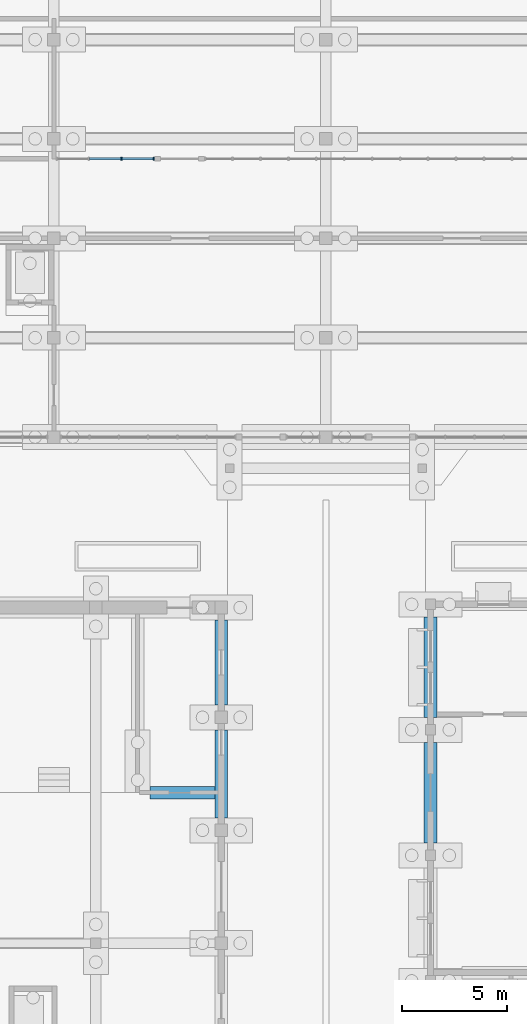
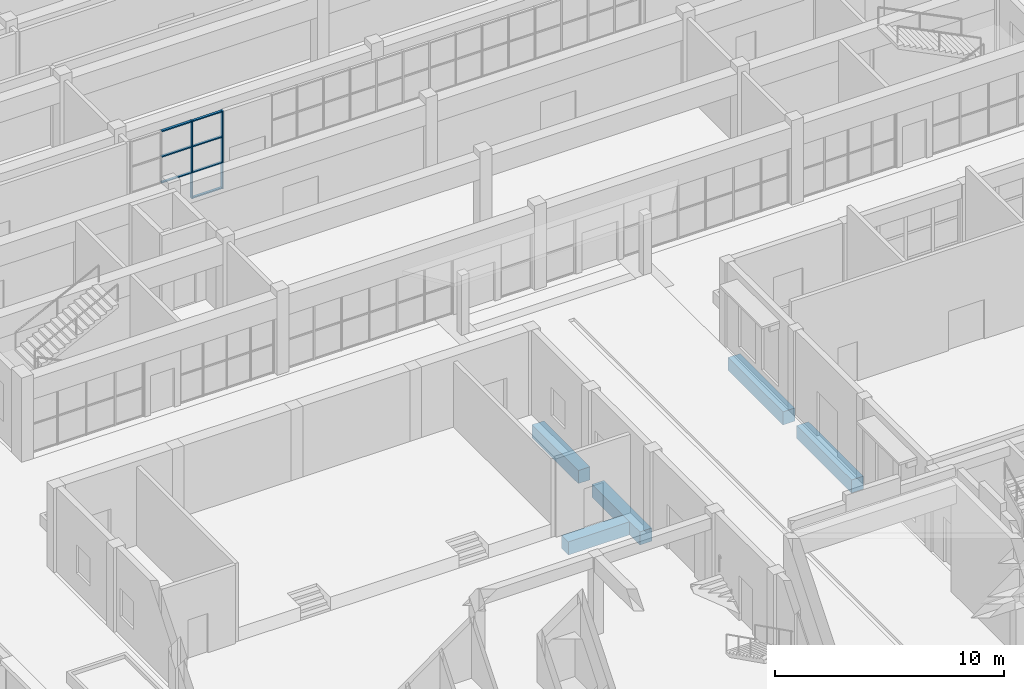
# One storey, part 15 of 161: 9 members, 5 beams, 1 element without a shape of its own.
"""IFC4 building model written with IfcOpenShell, lengths in metres."""

from ifc_helpers import new_model, si_unit, direction, frame, origin, origin_2d, place, context, subcontext, project, spatial, rectangle, extrude, material, material_profile, profile_set, type_object, element, aggregate, save


model = new_model("IFC4")

# Units and contexts
model_context = context("Model", 3, precision=1e-05, world=origin(), true_north=direction((0.0, 1.0)))
body_context = subcontext(model_context, "Body", "Model", "MODEL_VIEW")
ifc_project = project(units=[si_unit("LENGTHUNIT", "METRE"), si_unit("AREAUNIT", "SQUARE_METRE"), si_unit("VOLUMEUNIT", "CUBIC_METRE"), si_unit("PLANEANGLEUNIT", "RADIAN"), si_unit("MASSUNIT", "GRAM", prefix="KILO")], contexts=[model_context])

# Site, building, storey
site_placement = place(None, origin())
site = spatial("IfcSite", under=ifc_project, at=site_placement, CompositionType="ELEMENT")
building_placement = place(site_placement, origin())
building = spatial("IfcBuilding", under=site, at=building_placement, Name="Elbe Cascade School", CompositionType="ELEMENT")
storey_placement = place(building_placement, origin())
storey = spatial("IfcBuildingStorey", under=building, at=storey_placement, Name="L00", CompositionType="ELEMENT", Elevation=0.0)

# Beams
ifc_material_1 = material(Name="Concrete C30/37", Category="concrete")
ifc_material_profile_1 = material_profile(ifc_material_1, rectangle(XDim=0.60009765625, YDim=0.699951171875, at=origin_2d()), Name="RC 600x700")
ifc_profile_set_1 = profile_set([ifc_material_profile_1], Name="Concrete C30/37")
beam_type = type_object("IfcBeamType", Name="Found ground beam RC 600x700", PredefinedType="BEAM", material=ifc_profile_set_1)
for number, where, z_axis, x_axis, name in (
    (1, (39.0, 21.60009765625, -0.64990234375), (0.0, 1.0, 0.0), (-1.0, 0.0, 0.0), "Ground beam 105"),
    (2, (39.0, 27.60009765625, -0.64990234375), (0.0, 1.0, 0.0), (-1.0, 0.0, 0.0), "Ground beam 106"),
):
    element("IfcBeam", number, at=place(storey_placement, frame(where, z_axis=z_axis, x_axis=x_axis)), inside=storey, type_object=beam_type, Name=name, PredefinedType="BEAM", context=body_context, shape_type="SweptSolid", body=[
        extrude(rectangle(XDim=0.60009765625, YDim=0.699951171875, at=origin_2d()), origin(), (0.0, 0.0, 1.0), 4.7998046875),
    ])
beam_1_placement = place(storey_placement, frame((29.0, 22.800048828125, -0.64990234375), z_axis=(0.0, 1.0, 0.0), x_axis=(-1.0, 0.0, 0.0)))
element("IfcBeam", 3, at=beam_1_placement, inside=storey, type_object=beam_type, Name="Ground beam 114", PredefinedType="BEAM", context=body_context, shape_type="SweptSolid", body=[
    extrude(rectangle(XDim=0.60009765625, YDim=0.699951171875, at=origin_2d()), origin(), (0.0, 0.0, 1.0), 4.199951171875),
])
beam_2_placement = place(storey_placement, frame((29.0, 28.199951171875, -0.64990234375), z_axis=(0.0, 1.0, 0.0), x_axis=(-1.0, 0.0, 0.0)))
element("IfcBeam", 4, at=beam_2_placement, inside=storey, type_object=beam_type, Name="Ground beam 115", PredefinedType="BEAM", context=body_context, shape_type="SweptSolid", body=[
    extrude(rectangle(XDim=0.60009765625, YDim=0.699951171875, at=origin_2d()), origin(), (0.0, 0.0, 1.0), 4.050048828125),
])
beam_3_placement = place(storey_placement, frame((25.60009765625, 24.0, -0.64990234375), z_axis=(1.0, 0.0, 0.0), x_axis=(0.0, 1.0, 0.0)))
element("IfcBeam", 5, at=beam_3_placement, inside=storey, type_object=beam_type, Name="Ground beam 168", PredefinedType="BEAM", context=body_context, shape_type="SweptSolid", body=[
    extrude(rectangle(XDim=0.60009765625, YDim=0.699951171875, at=origin_2d()), origin(), (0.0, 0.0, 1.0), 3.099853515625),
])

# Curtain wall, members
ifc_material_2 = material(Name="Glass - double glazed low-E", Category="glass")
curtain_wall_type = type_object("IfcCurtainWallType", Name="Hall gable curtain wall", PredefinedType="NOTDEFINED", material=ifc_material_2)
curtain_wall_placement = place(storey_placement, origin())
curtain_wall = element("IfcCurtainWall", 6, at=curtain_wall_placement, inside=storey, type_object=curtain_wall_type, Name="Studio front curtain wall 1", PredefinedType="NOTDEFINED")
ifc_material_3 = material(Name="Aluminium - bronze anodised", Category="aluminium")
ifc_material_profile_2 = material_profile(ifc_material_3, rectangle(XDim=0.159912109375, YDim=0.06005859375, at=origin_2d()), Name="Alu 60x160")
ifc_profile_set_2 = profile_set([ifc_material_profile_2], Name="Aluminium - bronze anodised")
member_type_1 = type_object("IfcMemberType", Name="Hall gable mullion 60x160", PredefinedType="MULLION", material=ifc_profile_set_2)
member_1_placement = place(storey_placement, frame((24.2333984375, 54.300048828125, 0.0), z_axis=(0.0, 0.0, 1.0), x_axis=(0.0, 1.0, 0.0)))
member_1 = element("IfcMember", 7, at=member_1_placement, type_object=member_type_1, Name="CW6 mullion 3", PredefinedType="MULLION", context=body_context, shape_type="SweptSolid", body=[
    extrude(rectangle(XDim=0.159912109375, YDim=0.06005859375, at=origin_2d()), origin(), (0.0, 0.0, 1.0), 4.14990234375),
])
member_2_placement = place(storey_placement, frame((25.77001953125, 54.300048828125, 0.0), z_axis=(0.0, 0.0, 1.0), x_axis=(0.0, 1.0, 0.0)))
member_2 = element("IfcMember", 8, at=member_2_placement, type_object=member_type_1, Name="CW6 mullion 4", PredefinedType="MULLION", context=body_context, shape_type="SweptSolid", body=[
    extrude(rectangle(XDim=0.159912109375, YDim=0.06005859375, at=origin_2d()), origin(), (0.0, 0.0, 1.0), 4.14990234375),
])
ifc_material_4 = material(Name="Aluminium - bronze anodised", Category="aluminium")
ifc_material_profile_3 = material_profile(ifc_material_4, rectangle(XDim=0.1201171875, YDim=0.06005859375, at=origin_2d()), Name="Alu 60x120")
ifc_profile_set_3 = profile_set([ifc_material_profile_3], Name="Aluminium - bronze anodised")
member_type_2 = type_object("IfcMemberType", Name="Hall gable transom 60x120", PredefinedType="USERDEFINED", material=ifc_profile_set_3)
member_3_placement = place(storey_placement, frame((22.69677734375, 54.300048828125, 1.38330078125), z_axis=(1.0, 0.0, 0.0), x_axis=(0.0, 1.0, 0.0)))
member_3 = element("IfcMember", 9, at=member_3_placement, type_object=member_type_2, Name="CW6 transom 2.2", ObjectType="TRANSOM", PredefinedType="USERDEFINED", context=body_context, shape_type="SweptSolid", body=[
    extrude(rectangle(XDim=0.1201171875, YDim=0.06005859375, at=origin_2d()), origin(), (0.0, 0.0, 1.0), 1.506591796875),
])
member_4_placement = place(storey_placement, frame((22.69677734375, 54.300048828125, 2.7666015625), z_axis=(1.0, 0.0, 0.0), x_axis=(0.0, 1.0, 0.0)))
member_4 = element("IfcMember", 10, at=member_4_placement, type_object=member_type_2, Name="CW6 transom 2.3", ObjectType="TRANSOM", PredefinedType="USERDEFINED", context=body_context, shape_type="SweptSolid", body=[
    extrude(rectangle(XDim=0.1201171875, YDim=0.06005859375, at=origin_2d()), origin(), (0.0, 0.0, 1.0), 1.506591796875),
])
member_5_placement = place(storey_placement, frame((22.69677734375, 54.300048828125, 4.1201171875), z_axis=(1.0, 0.0, 0.0), x_axis=(0.0, 1.0, 0.0)))
member_5 = element("IfcMember", 11, at=member_5_placement, type_object=member_type_2, Name="CW6 transom 2.4", ObjectType="TRANSOM", PredefinedType="USERDEFINED", context=body_context, shape_type="SweptSolid", body=[
    extrude(rectangle(XDim=0.1201171875, YDim=0.06005859375, at=origin_2d()), origin(), (0.0, 0.0, 1.0), 1.506591796875),
])
member_6_placement = place(storey_placement, frame((24.263427734375, 54.300048828125, 0.030029296875), z_axis=(1.0, 0.0, 0.0), x_axis=(0.0, 1.0, 0.0)))
member_6 = element("IfcMember", 12, at=member_6_placement, type_object=member_type_2, Name="CW6 transom 3.1", ObjectType="TRANSOM", PredefinedType="USERDEFINED", context=body_context, shape_type="SweptSolid", body=[
    extrude(rectangle(XDim=0.1201171875, YDim=0.06005859375, at=origin_2d()), origin(), (0.0, 0.0, 1.0), 1.4765625),
])
member_7_placement = place(storey_placement, frame((24.263427734375, 54.300048828125, 1.38330078125), z_axis=(1.0, 0.0, 0.0), x_axis=(0.0, 1.0, 0.0)))
member_7 = element("IfcMember", 13, at=member_7_placement, type_object=member_type_2, Name="CW6 transom 3.2", ObjectType="TRANSOM", PredefinedType="USERDEFINED", context=body_context, shape_type="SweptSolid", body=[
    extrude(rectangle(XDim=0.1201171875, YDim=0.06005859375, at=origin_2d()), origin(), (0.0, 0.0, 1.0), 1.4765625),
])
member_8_placement = place(storey_placement, frame((24.263427734375, 54.300048828125, 2.7666015625), z_axis=(1.0, 0.0, 0.0), x_axis=(0.0, 1.0, 0.0)))
member_8 = element("IfcMember", 14, at=member_8_placement, type_object=member_type_2, Name="CW6 transom 3.3", ObjectType="TRANSOM", PredefinedType="USERDEFINED", context=body_context, shape_type="SweptSolid", body=[
    extrude(rectangle(XDim=0.1201171875, YDim=0.06005859375, at=origin_2d()), origin(), (0.0, 0.0, 1.0), 1.4765625),
])
member_9_placement = place(storey_placement, frame((24.263427734375, 54.300048828125, 4.1201171875), z_axis=(1.0, 0.0, 0.0), x_axis=(0.0, 1.0, 0.0)))
member_9 = element("IfcMember", 15, at=member_9_placement, type_object=member_type_2, Name="CW6 transom 3.4", ObjectType="TRANSOM", PredefinedType="USERDEFINED", context=body_context, shape_type="SweptSolid", body=[
    extrude(rectangle(XDim=0.1201171875, YDim=0.06005859375, at=origin_2d()), origin(), (0.0, 0.0, 1.0), 1.4765625),
])
aggregate(curtain_wall, [member_1, member_2, member_3, member_4, member_5, member_6, member_7, member_8, member_9])

save(model, "model.ifc")
